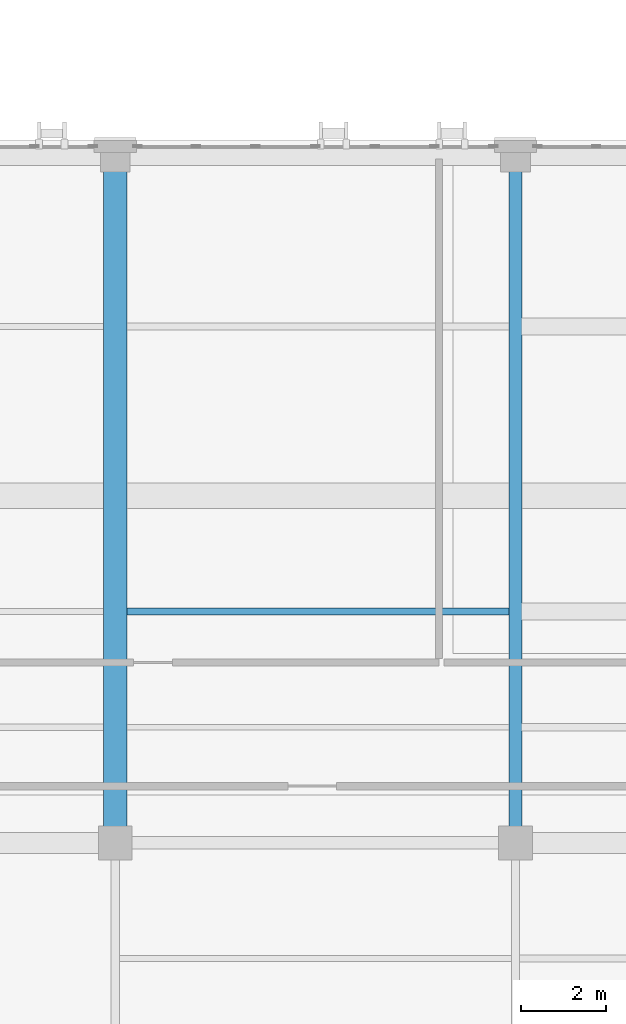
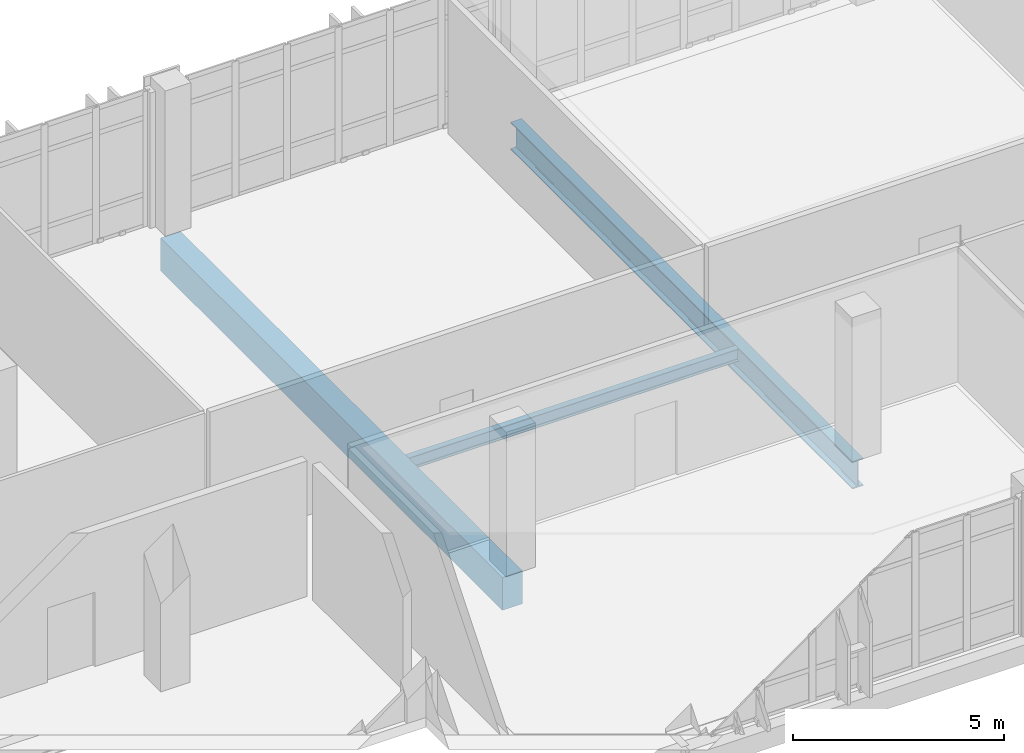
# One storey, part 17 of 165: 3 beams.
"""IFC4 building model written with IfcOpenShell, lengths in metres."""

from ifc_helpers import new_model, si_unit, direction, frame, origin, origin_2d, place, context, subcontext, project, spatial, rectangle, i_section, extrude, material, material_profile, profile_set, type_object, element, save


model = new_model("IFC4")

# Units and contexts
model_context = context("Model", 3, precision=1e-05, world=origin(), true_north=direction((0.0, 1.0)))
body_context = subcontext(model_context, "Body", "Model", "MODEL_VIEW")
ifc_project = project(units=[si_unit("LENGTHUNIT", "METRE"), si_unit("AREAUNIT", "SQUARE_METRE"), si_unit("VOLUMEUNIT", "CUBIC_METRE"), si_unit("PLANEANGLEUNIT", "RADIAN"), si_unit("MASSUNIT", "GRAM", prefix="KILO")], contexts=[model_context])

# Site, building, storey
site_placement = place(None, origin())
site = spatial("IfcSite", under=ifc_project, at=site_placement, CompositionType="ELEMENT")
building_placement = place(site_placement, origin())
building = spatial("IfcBuilding", under=site, at=building_placement, Name="Qalavern Law Courts", CompositionType="ELEMENT")
storey_placement = place(building_placement, frame((0.0, 0.0, 14.39990234375)))
storey = spatial("IfcBuildingStorey", under=building, at=storey_placement, Name="L03", CompositionType="ELEMENT", Elevation=14.39990234375)

# Beams
ifc_material_1 = material(Name="Steel S355", Category="steel")
ifc_material_profile_1 = material_profile(ifc_material_1, i_section(OverallWidth=0.300048828125, OverallDepth=0.800048828125, WebThickness=0.017578125, FlangeThickness=0.032958984375, FilletRadius=0.030029296875, at=origin_2d()), Name="HEB 800")
ifc_profile_set_1 = profile_set([ifc_material_profile_1], Name="Steel S355")
beam_type_1 = type_object("IfcBeamType", Name="STR-BM-HEB800", PredefinedType="BEAM", material=ifc_profile_set_1)
beam_1_placement = place(storey_placement, frame((62.98291015625, 13.800048828125, -0.684814453125), z_axis=(0.0, 1.0, 0.0), x_axis=(-1.0, 0.0, 0.0)))
element("IfcBeam", 1, at=beam_1_placement, inside=storey, type_object=beam_type_1, Name="V2 Y-beam 4-2 L03", PredefinedType="BEAM", context=body_context, shape_type="SweptSolid", body=[
    extrude(i_section(OverallWidth=0.300048828125, OverallDepth=0.800048828125, WebThickness=0.017578125, FlangeThickness=0.032958984375, FilletRadius=0.030029296875, at=origin_2d()), origin(), (0.0, 0.0, 1.0), 16.199951171875),
])
ifc_material_2 = material(Name="Concrete C40/50", Category="concrete")
ifc_material_profile_2 = material_profile(ifc_material_2, rectangle(XDim=0.550048828125, YDim=0.949951171875, at=origin_2d()), Name="RC 550x950")
ifc_profile_set_2 = profile_set([ifc_material_profile_2], Name="Concrete C40/50")
beam_type_2 = type_object("IfcBeamType", Name="STR-BM-RC550x950", PredefinedType="BEAM", material=ifc_profile_set_2)
beam_2_placement = place(storey_placement, frame((53.528564453125, 13.800048828125, -0.760009765625), z_axis=(0.0, 1.0, 0.0), x_axis=(-1.0, 0.0, 0.0)))
element("IfcBeam", 2, at=beam_2_placement, inside=storey, type_object=beam_type_2, Name="V2 Y-beam 3-2 L03", PredefinedType="BEAM", context=body_context, shape_type="SweptSolid", body=[
    extrude(rectangle(XDim=0.550048828125, YDim=0.949951171875, at=origin_2d()), origin(), (0.0, 0.0, 1.0), 16.199951171875),
])
ifc_material_profile_3 = material_profile(ifc_material_1, i_section(OverallWidth=0.169921875, OverallDepth=0.360107421875, WebThickness=0.008056640625, FlangeThickness=0.0126953125, FilletRadius=0.01806640625, at=origin_2d()), Name="IPE 360")
ifc_profile_set_3 = profile_set([ifc_material_profile_3], Name="Steel S355")
beam_type_3 = type_object("IfcBeamType", Name="STR-JST-IPE360", PredefinedType="JOIST", material=ifc_profile_set_3)
beam_3_placement = place(storey_placement, frame((53.801513671875, 19.2666015625, -0.46484375), z_axis=(1.0, 0.0, 0.0), x_axis=(0.0, 1.0, 0.0)))
element("IfcBeam", 3, at=beam_3_placement, inside=storey, type_object=beam_type_3, Name="V2 secondary joist 3.2.2 L03", PredefinedType="JOIST", context=body_context, shape_type="SweptSolid", body=[
    extrude(i_section(OverallWidth=0.169921875, OverallDepth=0.360107421875, WebThickness=0.008056640625, FlangeThickness=0.0126953125, FilletRadius=0.01806640625, at=origin_2d()), origin(), (0.0, 0.0, 1.0), 9.033447265625),
])

save(model, "model.ifc")
